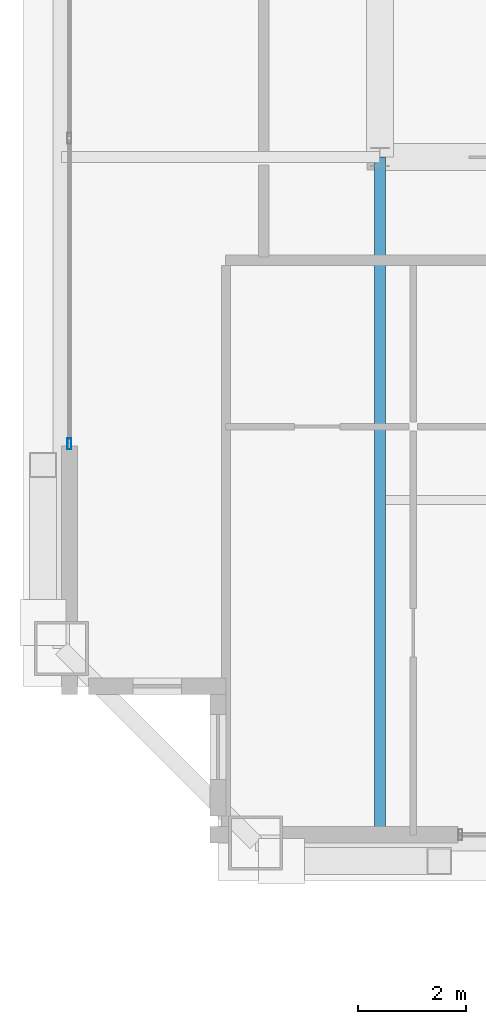
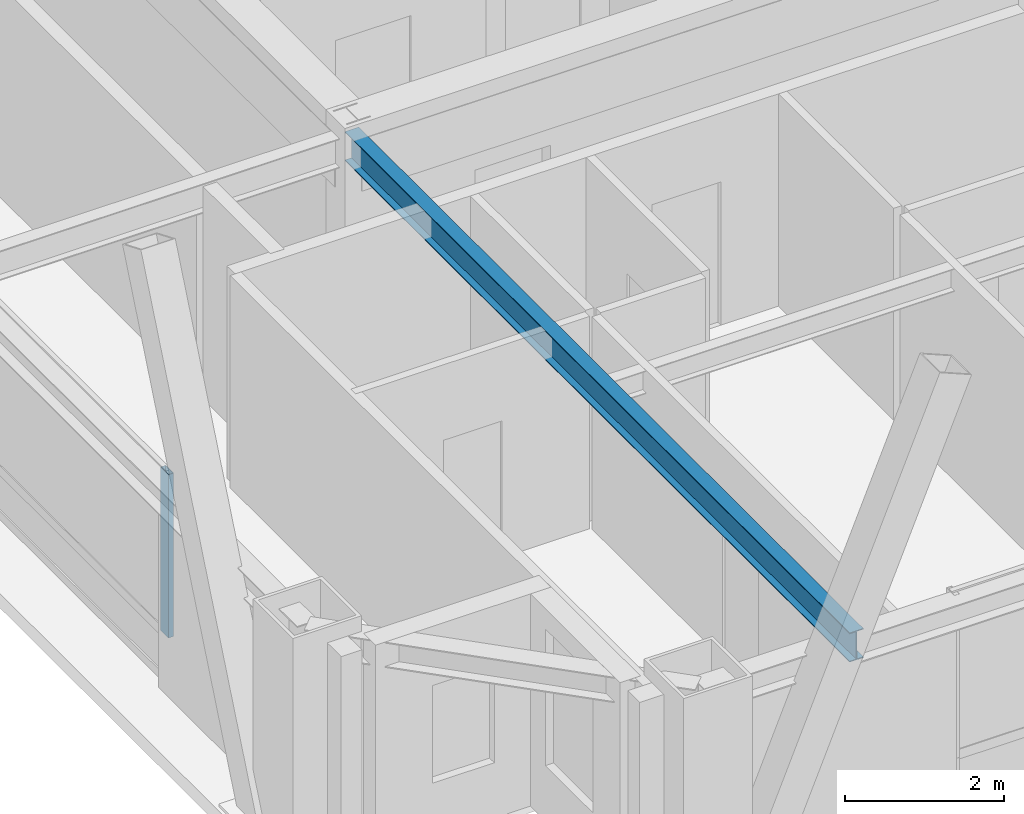
# One storey, part 6 of 35: 1 beam, 1 member, 1 element without a shape of its own.
"""IFC4 building model written with IfcOpenShell, lengths in metres."""

from ifc_helpers import new_model, si_unit, direction, frame, origin, origin_2d, place, context, subcontext, project, spatial, hollow_rectangle, i_section, extrude, source, transform, mapped, material, layer, layer_set, material_profile, profile_set, type_object, element, aggregate, save


model = new_model("IFC4")

# Units and contexts
model_context = context("Model", 3, precision=1e-05, world=origin(), true_north=direction((0.0, 1.0)))
body_context = subcontext(model_context, "Body", "Model", "MODEL_VIEW")
ifc_project = project(units=[si_unit("LENGTHUNIT", "METRE"), si_unit("AREAUNIT", "SQUARE_METRE"), si_unit("VOLUMEUNIT", "CUBIC_METRE"), si_unit("PLANEANGLEUNIT", "RADIAN"), si_unit("MASSUNIT", "GRAM", prefix="KILO"), si_unit("THERMODYNAMICTEMPERATUREUNIT", "KELVIN"), si_unit("POWERUNIT", "WATT")], contexts=[model_context])

# Site, building, storey
site_placement = place(None, origin())
site = spatial("IfcSite", under=ifc_project, at=site_placement, CompositionType="ELEMENT")
building_placement = place(site_placement, origin())
building = spatial("IfcBuilding", under=site, at=building_placement, Name="Yuzanri Waterfront Tower", CompositionType="ELEMENT")
storey_placement = place(building_placement, frame((0.0, 0.0, 335.699951171875)))
storey = spatial("IfcBuildingStorey", under=building, at=storey_placement, Name="L90", CompositionType="ELEMENT", Elevation=335.699951171875)

# Beam
ifc_material_1 = material(Name="Steel Q355B", Category="steel")
ifc_material_profile_1 = material_profile(ifc_material_1, i_section(OverallWidth=0.199951171875, OverallDepth=0.449951171875, WebThickness=0.009033203125, FlangeThickness=0.013916015625, at=origin_2d()), Name="HN 450x200x9x14")
ifc_profile_set_1 = profile_set([ifc_material_profile_1], Name="Steel Q355B")
beam_type = type_object("IfcBeamType", Name="Secondary Floor Beam Q355B HN 450x200", PredefinedType="BEAM", material=ifc_profile_set_1)
shared_shape_1 = source(origin(), body_context, "Body", "SweptSolid", [
    extrude(i_section(OverallWidth=0.199951171875, OverallDepth=0.449951171875, WebThickness=0.009033203125, FlangeThickness=0.013916015625, at=origin_2d()), origin(), (0.0, 0.0, 1.0), 12.699951171875),
])
beam_placement = place(storey_placement, frame((23.800048828125, 19.39990234375, 3.03515625), z_axis=(0.0, -1.0, 0.0), x_axis=(1.0, 0.0, 0.0)))
element("IfcBeam", 1, at=beam_placement, inside=storey, type_object=beam_type, Name="L90 South-West Core Line Beam", PredefinedType="BEAM", context=body_context, shape_type="MappedRepresentation", body=[
    mapped(shared_shape_1, transform((0.0, 0.0, 0.0), scale=1.0)),
])

# Curtain wall, member
ifc_material_2 = material(Name="Anodized Architectural Bronze", Category="metal")
ifc_layer = layer(ifc_material_2, 0.159912109375)
ifc_layer_set = layer_set([ifc_layer], Name="Anodized Architectural Bronze")
curtain_wall_type = type_object("IfcCurtainWallType", Name="Anodized Bronze High-Rise Penthouse High-Wind Unitized Curtain Wall 6900", PredefinedType="NOTDEFINED", material=ifc_layer_set)
curtain_wall_placement = place(storey_placement, origin())
curtain_wall = element("IfcCurtainWall", 2, at=curtain_wall_placement, inside=storey, type_object=curtain_wall_type, Name="L90 Curtain Wall CW-L90-WL", PredefinedType="NOTDEFINED")
ifc_material_3 = material(Name="Anodized Architectural Bronze", Category="metal")
ifc_material_profile_2 = material_profile(ifc_material_3, hollow_rectangle(XDim=0.074951171875, YDim=0.199951171875, WallThickness=0.00390625, at=origin_2d()), Name="CWM 75x200")
ifc_profile_set_2 = profile_set([ifc_material_profile_2], Name="Anodized Architectural Bronze")
member_type = type_object("IfcMemberType", Name="Anodized Bronze Primary Curtain-Wall Mullion 75x200", PredefinedType="MULLION", material=ifc_profile_set_2)
shared_shape_2 = source(origin(), body_context, "Body", "SweptSolid", [
    extrude(hollow_rectangle(XDim=0.074951171875, YDim=0.199951171875, WallThickness=0.00390625, at=origin_2d()), origin(), (0.0, 0.0, 1.0), 2.508056640625),
])
member_placement = place(storey_placement, frame((18.050048828125, 14.090087890625, 0.751953125), z_axis=(0.0, 0.0, 1.0), x_axis=(1.0, 0.0, 0.0)))
member = element("IfcMember", 3, at=member_placement, type_object=member_type, Name="CW-L90-WL Upper Mullion 00", PredefinedType="MULLION", context=body_context, shape_type="MappedRepresentation", body=[
    mapped(shared_shape_2, transform((0.0, 0.0, 0.0), scale=1.0)),
])
aggregate(curtain_wall, [member])

save(model, "model.ifc")
